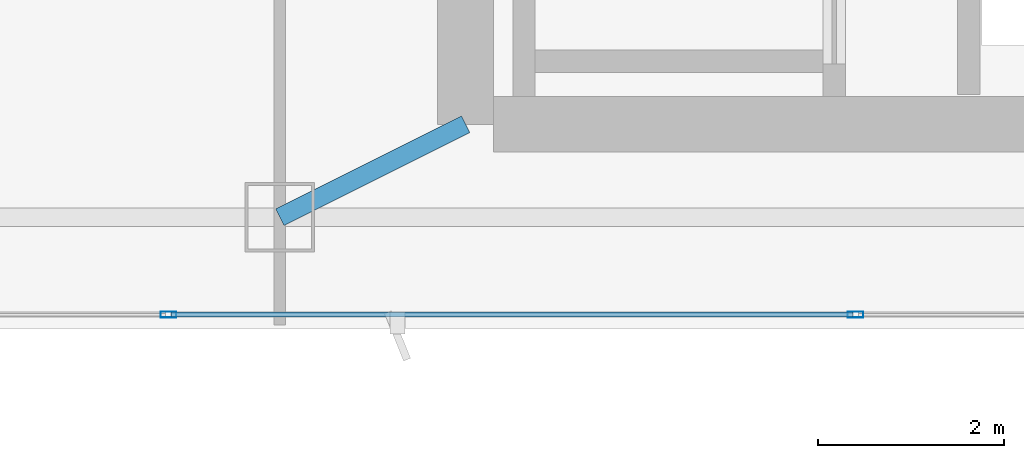
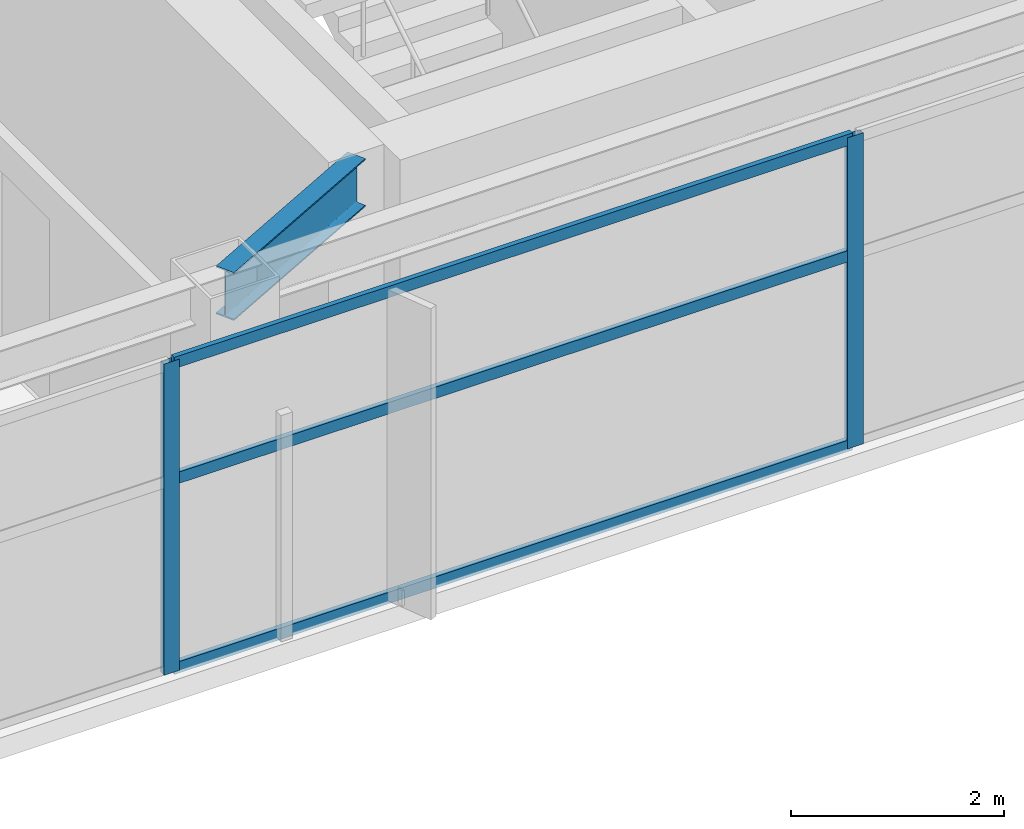
# One storey, part 7 of 28: 5 members, 1 beam, 1 element without a shape of its own.
"""IFC4 building model written with IfcOpenShell, lengths in metres."""

import ifcopenshell
import ifcopenshell.guid

model = None  # the IFC model being written
_history = None  # IfcOwnerHistory: only IFC2X3 demands one
_inside = {}  # id of a spatial element -> (the spatial element, [elements in it])
_under = {}  # id of a project, library or spatial element -> (it, [spatial elements below it])
_declared = {}  # id of a project -> (the project, [libraries it declares])
_typed = {}  # id of a type object -> (the type object, [elements of that type])
_made_of = {}  # id of a material, layer set ... -> (it, [elements and type objects made of it])


def new_model(schema):
    """Start an empty IFC model of exactly this schema.

    Asked for "IFC4X3", IfcOpenShell would pick the latest addendum, in which some entities
    have other attributes; the version numbers below select the first issue.
    IFC2X3 requires an IfcOwnerHistory on every rooted entity: one is made here for all.
    """
    global model, _history
    if schema == "IFC4X3":
        model = ifcopenshell.file(schema_version=(4, 3, 0, 0))
    else:
        model = ifcopenshell.file(schema=schema)
    _inside.clear()
    _under.clear()
    _declared.clear()
    _typed.clear()
    _made_of.clear()
    _history = None
    if model.schema == "IFC2X3":
        org = make("IfcOrganization", Name="unknown")
        user = make(
            "IfcPersonAndOrganization",
            ThePerson=make("IfcPerson", FamilyName="unknown"),
            TheOrganization=org,
        )
        app = make(
            "IfcApplication",
            ApplicationDeveloper=org,
            Version="unknown",
            ApplicationFullName="unknown",
            ApplicationIdentifier="unknown",
        )
        _history = make(
            "IfcOwnerHistory",
            OwningUser=user,
            OwningApplication=app,
            ChangeAction="ADDED",
            CreationDate=0,
        )
    return model


def make(cls, **values):
    """One entity of the class cls with the attributes given. An attribute that is None is left unset."""
    return model.create_entity(
        cls, **{name: value for name, value in values.items() if value is not None}
    )


def rooted(cls, **values):
    """An entity with a GlobalId (a new one), such as an element, a storey or a relation."""
    return make(cls, GlobalId=ifcopenshell.guid.new(), OwnerHistory=_history, **values)


def si_unit(unit_type, name, prefix=None):
    """IfcSIUnit, for example si_unit("LENGTHUNIT", "METRE", prefix="MILLI")."""
    return make("IfcSIUnit", UnitType=unit_type, Prefix=prefix, Name=name)


def assignment(units):
    """IfcUnitAssignment: the units of a project."""
    return None if units is None else make("IfcUnitAssignment", Units=units)


def point(xyz):
    """IfcCartesianPoint."""
    return None if xyz is None else make("IfcCartesianPoint", Coordinates=xyz)


def direction(xyz):
    """IfcDirection."""
    return None if xyz is None else make("IfcDirection", DirectionRatios=xyz)


def frame(location, z_axis=None, x_axis=None):
    """IfcAxis2Placement3D, a coordinate frame: its origin and axes. An axis left out is left unset."""
    return make(
        "IfcAxis2Placement3D",
        Location=point(location),
        Axis=direction(z_axis),
        RefDirection=direction(x_axis),
    )


def frame_2d(location, x_axis=None):
    """IfcAxis2Placement2D, a coordinate frame in the plane: its origin and x axis."""
    return make(
        "IfcAxis2Placement2D", Location=point(location), RefDirection=direction(x_axis)
    )


def origin():
    """The frame at (0, 0, 0) with its axes left unset."""
    return frame((0.0, 0.0, 0.0))


def origin_2d():
    """The frame at (0, 0) in the plane with its x axis left unset."""
    return frame_2d((0.0, 0.0))


def place(relative_to, where):
    """IfcLocalPlacement: puts the frame where relative to a parent placement (None: the world)."""
    return make(
        "IfcLocalPlacement", PlacementRelTo=relative_to, RelativePlacement=where
    )


def context(
    kind, dimensions, precision=None, world=None, true_north=None, identifier=None
):
    """IfcGeometricRepresentationContext, for example the 3D "Model" context."""
    return make(
        "IfcGeometricRepresentationContext",
        ContextIdentifier=identifier,
        ContextType=kind,
        CoordinateSpaceDimension=dimensions,
        Precision=precision,
        WorldCoordinateSystem=world,
        TrueNorth=true_north,
    )


def subcontext(parent, identifier, kind, view, scale=None):
    """IfcGeometricRepresentationSubContext, for example "Body" below "Model"."""
    return make(
        "IfcGeometricRepresentationSubContext",
        ContextIdentifier=identifier,
        ContextType=kind,
        ParentContext=parent,
        TargetScale=scale,
        TargetView=view,
    )


def project(units=None, contexts=None):
    """IfcProject with its units and contexts."""
    return rooted(
        "IfcProject",
        Name="project",
        RepresentationContexts=contexts,
        UnitsInContext=assignment(units),
    )


def spatial(cls, under=None, at=None, **own):
    """A site, building, storey or space (cls), placed at a placement, below another one or the project."""
    s = rooted(cls, ObjectPlacement=at, **own)
    if under is not None:
        _under.setdefault(under.id(), (under, []))[1].append(s)
    return s


def profile(cls, at=None, kind="AREA", **sizes):
    """A parametric profile (cls). Its sizes go by their IFC names, for example OverallWidth=200.0."""
    return make(cls, ProfileType=kind, Position=at, **sizes)


def hollow_rectangle(**sizes):
    """IfcRectangleHollowProfileDef."""
    return profile("IfcRectangleHollowProfileDef", **sizes)


def i_section(**sizes):
    """IfcIShapeProfileDef."""
    return profile("IfcIShapeProfileDef", **sizes)


def extrude(swept, where, along, depth):
    """IfcExtrudedAreaSolid: the profile swept, set in the frame where, extruded along a direction by depth."""
    return make(
        "IfcExtrudedAreaSolid",
        SweptArea=swept,
        Position=where,
        ExtrudedDirection=direction(along),
        Depth=depth,
    )


def shape(context_of_items, identifier, shape_type, items):
    """IfcShapeRepresentation: the items that make up one representation, for example the "Body"."""
    return make(
        "IfcShapeRepresentation",
        ContextOfItems=context_of_items,
        RepresentationIdentifier=identifier,
        RepresentationType=shape_type,
        Items=items,
    )


def material(Name=None, Category=None):
    """IfcMaterial."""
    return make("IfcMaterial", Name=Name, Category=Category)


def layer(
    of_material, thickness, ventilated=None, Name=None, Category=None, Priority=None
):
    """IfcMaterialLayer: one layer of a wall or slab, of a material (None: an air gap)."""
    return make(
        "IfcMaterialLayer",
        Material=of_material,
        LayerThickness=thickness,
        IsVentilated=ventilated,
        Name=Name,
        Category=Category,
        Priority=Priority,
    )


def layer_set(layers, Name=None):
    """IfcMaterialLayerSet."""
    return make("IfcMaterialLayerSet", MaterialLayers=layers, LayerSetName=Name)


def material_profile(
    of_material, cross_section, Name=None, Category=None, Priority=None
):
    """IfcMaterialProfile: a cross section and its material."""
    return make(
        "IfcMaterialProfile",
        Name=Name,
        Material=of_material,
        Profile=cross_section,
        Priority=Priority,
        Category=Category,
    )


def profile_set(profiles, Name=None, composite=None):
    """IfcMaterialProfileSet."""
    return make(
        "IfcMaterialProfileSet",
        Name=Name,
        MaterialProfiles=profiles,
        CompositeProfile=composite,
    )


def made_of(thing, what):
    """Note that an element or type object is made of a material, layer set ...; save() writes the relation."""
    if what is not None:
        _made_of.setdefault(what.id(), (what, []))[1].append(thing)
    return thing


def type_object(cls, material=None, **own):
    """A type object (cls), such as IfcWallType, which elements share."""
    return made_of(rooted(cls, **own), material)


def element(
    cls,
    number,
    at=None,
    inside=None,
    cuts=None,
    type_object=None,
    material=None,
    context=None,
    identifier="Body",
    shape_type=None,
    held_by="IfcProductDefinitionShape",
    body=None,
    shapes=None,
    **own,
):
    """One element of the class cls, such as IfcWall. Its Tag is "e" and its number.

    at: its placement. inside: the storey or other place that contains it. cuts: it is an
    opening in that element (IfcRelVoidsElement). A single representation is given by context,
    identifier, shape_type and body (its items); several are given by shapes. held_by: the class
    of the entity that holds the representations. save() writes the other relations.
    """
    e = rooted(cls, Tag="e%d" % number, ObjectPlacement=at, **own)
    if body is not None:
        shapes = [shape(context, identifier, shape_type, body)]
    if shapes is not None:
        e.Representation = make(held_by, Representations=shapes)
    if inside is not None:
        _inside.setdefault(inside.id(), (inside, []))[1].append(e)
    if cuts is not None:
        rooted(
            "IfcRelVoidsElement", RelatingBuildingElement=cuts, RelatedOpeningElement=e
        )
    if type_object is not None:
        _typed.setdefault(type_object.id(), (type_object, []))[1].append(e)
    return made_of(e, material)


def aggregate(whole, parts):
    """IfcRelAggregates: a whole, such as a stair, and the parts it consists of."""
    return rooted("IfcRelAggregates", RelatingObject=whole, RelatedObjects=parts)


def save(model, path):
    """Write the relations noted so far, then the file.

    IfcRelAggregates (storeys below a building ...), IfcRelContainedInSpatialStructure (elements
    in a storey), IfcRelDefinesByType, IfcRelAssociatesMaterial and IfcRelDeclares: one each for
    every whole, place, type object, material and project.
    """
    for whole, parts in _under.values():
        aggregate(whole, parts)
    for where, things in _inside.values():
        rooted(
            "IfcRelContainedInSpatialStructure",
            RelatedElements=things,
            RelatingStructure=where,
        )
    for kind, things in _typed.values():
        rooted("IfcRelDefinesByType", RelatedObjects=things, RelatingType=kind)
    for what, things in _made_of.values():
        rooted("IfcRelAssociatesMaterial", RelatedObjects=things, RelatingMaterial=what)
    for by, libraries in _declared.values():
        rooted("IfcRelDeclares", RelatingContext=by, RelatedDefinitions=libraries)
    model.write(path)


model = new_model("IFC4")

# Units and contexts
model_context = context("Model", 3, precision=1e-05, world=origin(), true_north=direction((0.0, 1.0)))
body_context = subcontext(model_context, "Body", "Model", "MODEL_VIEW")
ifc_project = project(units=[si_unit("LENGTHUNIT", "METRE"), si_unit("AREAUNIT", "SQUARE_METRE"), si_unit("VOLUMEUNIT", "CUBIC_METRE"), si_unit("PLANEANGLEUNIT", "RADIAN"), si_unit("MASSUNIT", "GRAM", prefix="KILO")], contexts=[model_context])

# Site, building, storey
site_placement = place(None, origin())
site = spatial("IfcSite", under=ifc_project, at=site_placement, CompositionType="ELEMENT")
building_placement = place(site_placement, origin())
building = spatial("IfcBuilding", under=site, at=building_placement, Name="Calvorn Quay Hotel", CompositionType="ELEMENT")
storey_placement = place(building_placement, frame((0.0, 0.0, 274.89990234375)))
storey = spatial("IfcBuildingStorey", under=building, at=storey_placement, Name="L68", CompositionType="ELEMENT", Elevation=274.89990234375)

# Beam
ifc_material_1 = material(Name="Steel Q355B", Category="steel")
ifc_material_profile_1 = material_profile(ifc_material_1, i_section(OverallWidth=0.199951171875, OverallDepth=0.550048828125, WebThickness=0.010009765625, FlangeThickness=0.01611328125, FilletRadius=0.01806640625, at=origin_2d()), Name="HN550x200x10x16")
ifc_profile_set_1 = profile_set([ifc_material_profile_1], Name="Steel Q355B")
beam_type = type_object("IfcBeamType", Name="BM-GIRD-UPP", PredefinedType="BEAM", material=ifc_profile_set_1)
beam_placement = place(storey_placement, frame((19.60009765625, 3.60009765625, 3.26513671875), z_axis=(0.894427191, 0.4472135955, 0.0), x_axis=(-0.4472135955, 0.894427191, 0.0)))
element("IfcBeam", 1, at=beam_placement, inside=storey, type_object=beam_type, Name="Beam BG-L68-S2", PredefinedType="BEAM", context=body_context, shape_type="SweptSolid", body=[
    extrude(i_section(OverallWidth=0.199951171875, OverallDepth=0.550048828125, WebThickness=0.010009765625, FlangeThickness=0.01611328125, FilletRadius=0.01806640625, at=origin_2d()), origin(), (0.0, 0.0, 1.0), 2.236083984375),
])

# Curtain wall, members
ifc_material_2 = material(Name="Champagne Bronze Anodised Aluminium and Low-E Glass", Category="aluminium")
ifc_layer = layer(ifc_material_2, 0.219970703125)
ifc_layer_set = layer_set([ifc_layer], Name="CW-SYS-Z4")
curtain_wall_type = type_object("IfcCurtainWallType", Name="CW-SYS-Z4", PredefinedType="NOTDEFINED", material=ifc_layer_set)
curtain_wall_placement = place(storey_placement, origin())
curtain_wall = element("IfcCurtainWall", 2, at=curtain_wall_placement, inside=storey, type_object=curtain_wall_type, Name="Tower South Waterfront Curtain Wall (L68)", PredefinedType="NOTDEFINED")
ifc_material_3 = material(Name="Champagne Bronze Anodised Aluminium 6063-T6", Category="aluminium")
ifc_material_profile_2 = material_profile(ifc_material_3, hollow_rectangle(XDim=0.06494140625, YDim=0.169921875, WallThickness=0.00341796875, at=origin_2d()), Name="ALU-M170x65x3.5")
ifc_profile_set_2 = profile_set([ifc_material_profile_2], Name="Champagne Bronze Anodised Aluminium 6063-T6")
member_type_1 = type_object("IfcMemberType", Name="CW-SYS-Z4-MUL", PredefinedType="MULLION", material=ifc_profile_set_2)
member_1_placement = place(storey_placement, frame((18.39990234375, 2.550048828125, 0.0), z_axis=(0.0, 0.0, 1.0), x_axis=(0.0, 1.0, 0.0)))
member_1 = element("IfcMember", 3, at=member_1_placement, type_object=member_type_1, Name="CW-L68-S mullion 2", PredefinedType="MULLION", context=body_context, shape_type="SweptSolid", body=[
    extrude(hollow_rectangle(XDim=0.06494140625, YDim=0.169921875, WallThickness=0.00341796875, at=origin_2d()), origin(), (0.0, 0.0, 1.0), 3.56005859375),
])
member_2_placement = place(storey_placement, frame((25.800048828125, 2.550048828125, 0.0), z_axis=(0.0, 0.0, 1.0), x_axis=(0.0, 1.0, 0.0)))
member_2 = element("IfcMember", 4, at=member_2_placement, type_object=member_type_1, Name="CW-L68-S mullion 3", PredefinedType="MULLION", context=body_context, shape_type="SweptSolid", body=[
    extrude(hollow_rectangle(XDim=0.06494140625, YDim=0.169921875, WallThickness=0.00341796875, at=origin_2d()), origin(), (0.0, 0.0, 1.0), 3.56005859375),
])
ifc_material_4 = material(Name="Champagne Bronze Anodised Aluminium 6063-T6", Category="aluminium")
ifc_material_profile_3 = material_profile(ifc_material_4, hollow_rectangle(XDim=0.054931640625, YDim=0.1298828125, WallThickness=0.003173828125, at=origin_2d()), Name="ALU-T130x55x3.2")
ifc_profile_set_3 = profile_set([ifc_material_profile_3], Name="Champagne Bronze Anodised Aluminium 6063-T6")
member_type_2 = type_object("IfcMemberType", Name="CW-SYS-Z4-TRN", PredefinedType="USERDEFINED", material=ifc_profile_set_3)
member_3_placement = place(storey_placement, frame((18.429931640625, 2.550048828125, 0.030029296875), z_axis=(1.0, 0.0, 0.0), x_axis=(0.0, 1.0, 0.0)))
member_3 = element("IfcMember", 5, at=member_3_placement, type_object=member_type_2, Name="CW-L68-S transom 2.1", ObjectType="TRANSOM", PredefinedType="USERDEFINED", context=body_context, shape_type="SweptSolid", body=[
    extrude(hollow_rectangle(XDim=0.054931640625, YDim=0.1298828125, WallThickness=0.003173828125, at=origin_2d()), origin(), (0.0, 0.0, 1.0), 7.340087890625),
])
member_4_placement = place(storey_placement, frame((18.429931640625, 2.550048828125, 2.2001953125), z_axis=(1.0, 0.0, 0.0), x_axis=(0.0, 1.0, 0.0)))
member_4 = element("IfcMember", 6, at=member_4_placement, type_object=member_type_2, Name="CW-L68-S transom 2.2", ObjectType="TRANSOM", PredefinedType="USERDEFINED", context=body_context, shape_type="SweptSolid", body=[
    extrude(hollow_rectangle(XDim=0.054931640625, YDim=0.1298828125, WallThickness=0.003173828125, at=origin_2d()), origin(), (0.0, 0.0, 1.0), 7.340087890625),
])
member_5_placement = place(storey_placement, frame((18.429931640625, 2.550048828125, 3.530029296875), z_axis=(1.0, 0.0, 0.0), x_axis=(0.0, 1.0, 0.0)))
member_5 = element("IfcMember", 7, at=member_5_placement, type_object=member_type_2, Name="CW-L68-S transom 2.3", ObjectType="TRANSOM", PredefinedType="USERDEFINED", context=body_context, shape_type="SweptSolid", body=[
    extrude(hollow_rectangle(XDim=0.054931640625, YDim=0.1298828125, WallThickness=0.003173828125, at=origin_2d()), origin(), (0.0, 0.0, 1.0), 7.340087890625),
])
aggregate(curtain_wall, [member_1, member_2, member_3, member_4, member_5])

save(model, "model.ifc")
